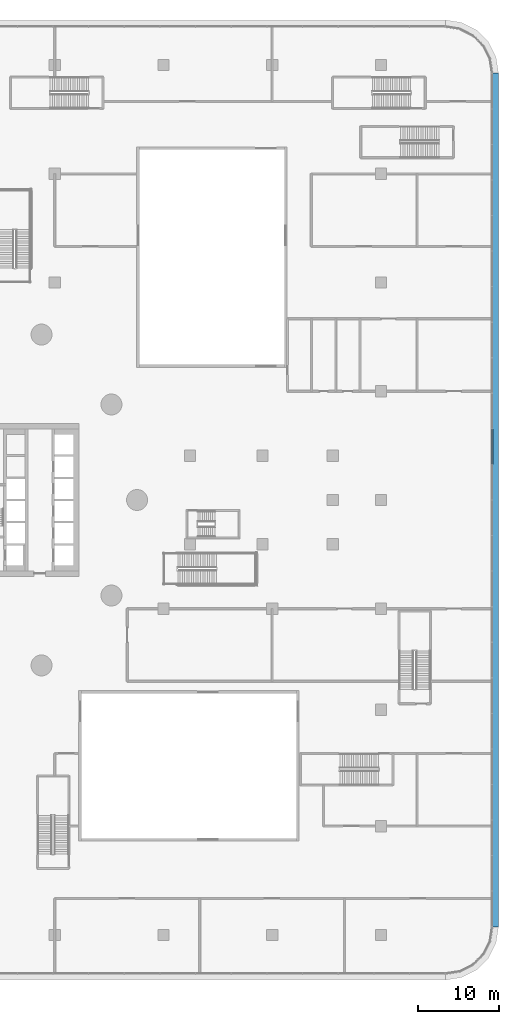
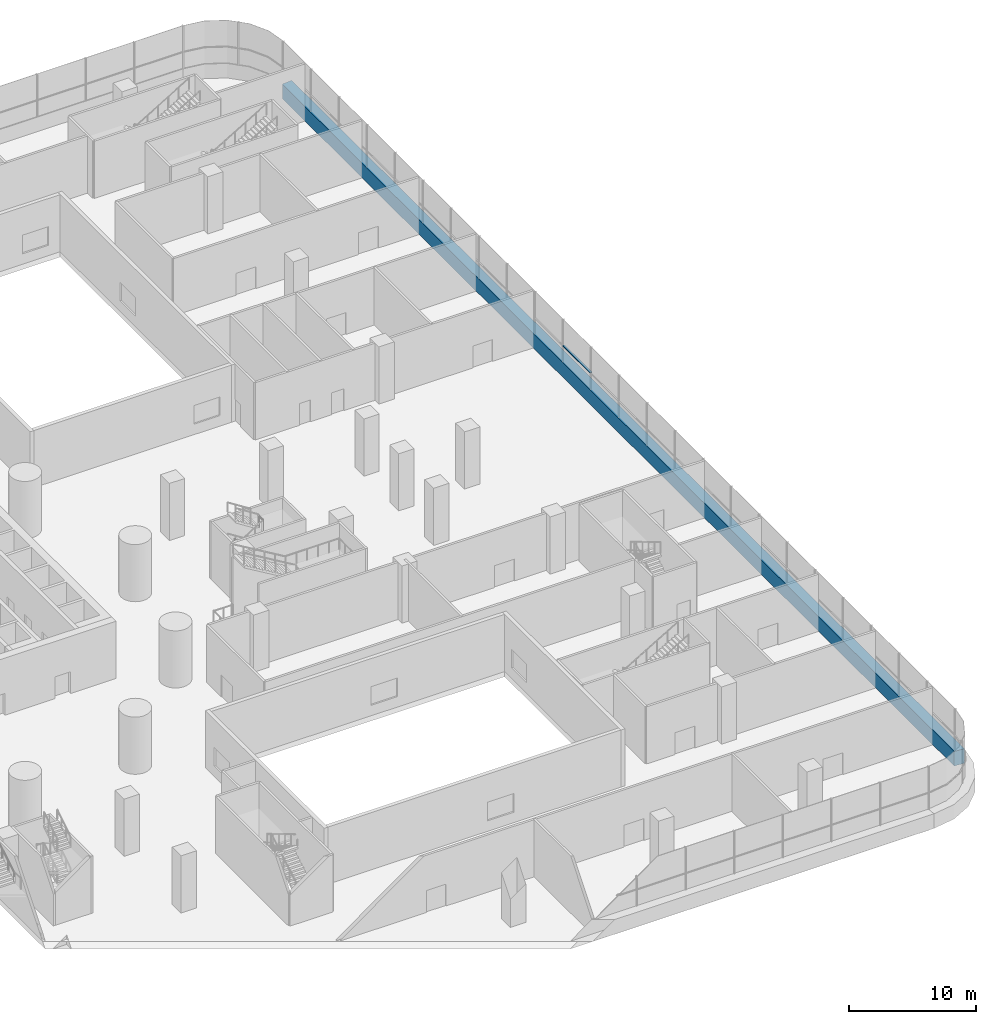
# One storey, part 20 of 52: 2 members, 1 element without a shape of its own.
"""IFC4 building model written with IfcOpenShell, lengths in metres."""

from ifc_helpers import new_model, si_unit, direction, frame, origin, place, context, subcontext, project, spatial, polyline, outline, extrude, material, layer, layer_set, type_object, element, aggregate, save


model = new_model("IFC4")

# Units and contexts
model_context = context("Model", 3, precision=1e-05, world=origin(), true_north=direction((0.0, 1.0)))
body_context = subcontext(model_context, "Body", "Model", "MODEL_VIEW")
ifc_project = project(units=[si_unit("LENGTHUNIT", "METRE"), si_unit("AREAUNIT", "SQUARE_METRE"), si_unit("VOLUMEUNIT", "CUBIC_METRE"), si_unit("PLANEANGLEUNIT", "RADIAN"), si_unit("MASSUNIT", "GRAM", prefix="KILO")], contexts=[model_context])

# Site, building, storey
site_placement = place(None, origin())
site = spatial("IfcSite", under=ifc_project, at=site_placement, CompositionType="ELEMENT")
building_placement = place(site_placement, origin())
building = spatial("IfcBuilding", under=site, at=building_placement, Name="Tamarind Cross Interchange Tower", CompositionType="ELEMENT")
storey_placement = place(building_placement, frame((0.0, 0.0, 9.0)))
storey = spatial("IfcBuildingStorey", under=building, at=storey_placement, Name="L01", CompositionType="ELEMENT", Elevation=9.0)

# Curtain wall, members
ifc_material_1 = material(Name="Aluminium 6063-T6", Category="aluminium")
ifc_layer = layer(ifc_material_1, 0.199951171875)
ifc_layer_set = layer_set([ifc_layer], Name="Aluminium 6063-T6")
curtain_wall_type = type_object("IfcCurtainWallType", Name="Podium shopfront and station curtain wall", PredefinedType="NOTDEFINED", material=ifc_layer_set)
curtain_wall_placement = place(storey_placement, origin())
curtain_wall = element("IfcCurtainWall", 1, at=curtain_wall_placement, inside=storey, type_object=curtain_wall_type, Name="CWS-L01-00", PredefinedType="NOTDEFINED")
ifc_material_2 = material(Name="Aluminium and insulated spandrel panel", Category="aluminium")
member_type_1 = type_object("IfcMemberType", Name="Floor-edge blade transom", PredefinedType="USERDEFINED", material=ifc_material_2)
member_1_placement = place(storey_placement, origin())
member_1 = element("IfcMember", 2, at=member_1_placement, type_object=member_type_1, Name="CWT-L01-00", ObjectType="TRANSOM", PredefinedType="USERDEFINED", context=body_context, shape_type="SweptSolid", body=[
    extrude(outline(polyline([(67.699951171875, -52.976318359375), (67.699951171875, 52.976318359375), (68.60009765625, 53.047119140625), (68.60009765625, -53.047119140625), (67.699951171875, -52.976318359375)])), origin(), (0.0, 0.0, 1.0), 1.39990234375),
])
member_type_2 = type_object("IfcMemberType", Name="Podium intermediate transom", PredefinedType="USERDEFINED", material=ifc_material_1)
member_2_placement = place(storey_placement, frame((0.0, 0.0, 2.969970703125)))
member_2 = element("IfcMember", 3, at=member_2_placement, type_object=member_type_2, Name="CWT-L01-00-I0-13", ObjectType="TRANSOM", PredefinedType="USERDEFINED", context=body_context, shape_type="SweptSolid", body=[
    extrude(outline(polyline([(67.699951171875, 4.455322265625), (67.699951171875, 8.790771484375), (67.89990234375, 8.790771484375), (67.89990234375, 4.455322265625), (67.699951171875, 4.455322265625)])), origin(), (0.0, 0.0, 1.0), 0.06005859375),
])
aggregate(curtain_wall, [member_2, member_1])

save(model, "model.ifc")
